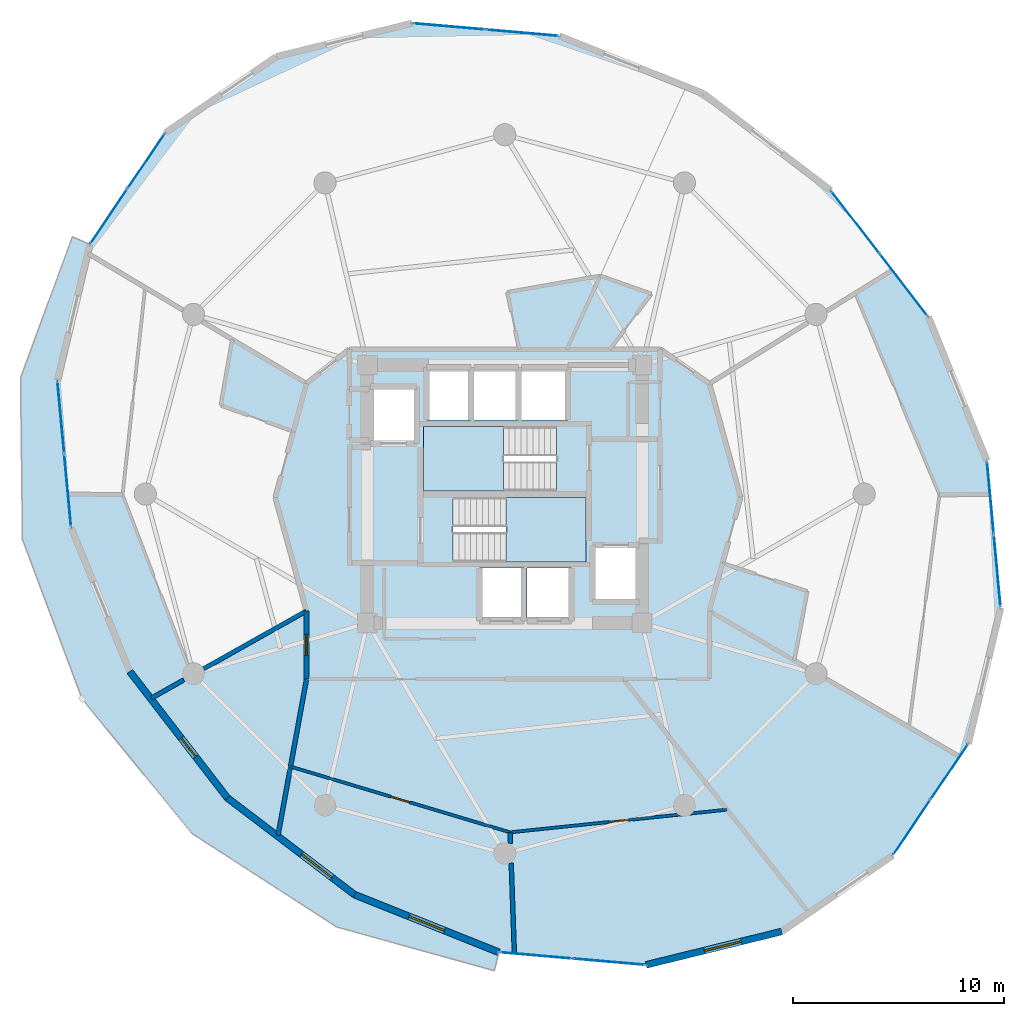
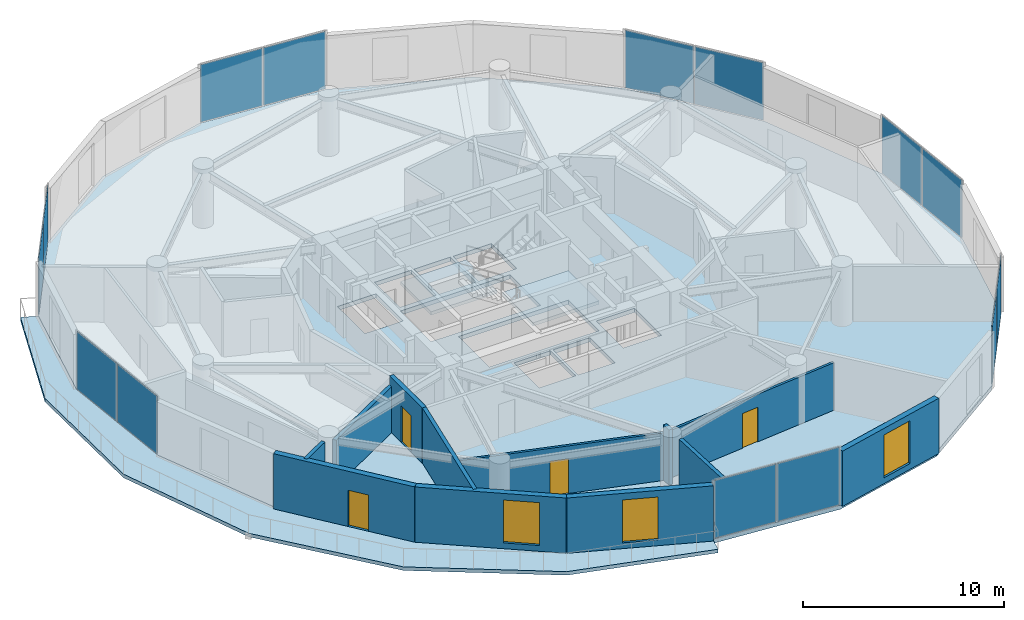
# One storey, part 17 of 22: 14 plates, 12 walls, 4 doors, 4 slabs, 3 windows, 7 openings, 9 elements without a shape of their own.
"""IFC4 building model written with IfcOpenShell, lengths in metres."""

from ifc_helpers import new_model, si_unit, direction, frame, frame_2d, origin, origin_2d, place, context, subcontext, project, spatial, polyline, rectangle, outline, extrude, source, transform, mapped, material, layer, layer_set, type_object, element, fill, aggregate, save


model = new_model("IFC4")

# Units and contexts
model_context = context("Model", 3, precision=1e-05, world=origin(), true_north=direction((0.0, 1.0)))
body_context = subcontext(model_context, "Body", "Model", "MODEL_VIEW")
ifc_project = project(units=[si_unit("LENGTHUNIT", "METRE"), si_unit("AREAUNIT", "SQUARE_METRE"), si_unit("VOLUMEUNIT", "CUBIC_METRE"), si_unit("PLANEANGLEUNIT", "RADIAN"), si_unit("MASSUNIT", "GRAM", prefix="KILO")], contexts=[model_context])

# Site, building, storey
site_placement = place(None, origin())
site = spatial("IfcSite", under=ifc_project, at=site_placement, CompositionType="ELEMENT")
building_placement = place(site_placement, origin())
building = spatial("IfcBuilding", under=site, at=building_placement, Name="Solvirekh Grand Hotel", CompositionType="ELEMENT")
storey_placement = place(building_placement, frame((0.0, 0.0, 145.800048828125)))
storey = spatial("IfcBuildingStorey", under=building, at=storey_placement, Name="L37", CompositionType="ELEMENT", Elevation=145.800048828125)

# Slab
ifc_material_1 = material(Name="Concrete C50/60", Category="concrete")
ifc_layer_1 = layer(ifc_material_1, 0.215087890625)
ifc_layer_set_1 = layer_set([ifc_layer_1], Name="Concrete C50/60")
slab_type_1 = type_object("IfcSlabType", Name="ExtCrescentBalc_215", PredefinedType="FLOOR", material=ifc_layer_set_1)
slab_1_placement = place(storey_placement, frame((0.0, 0.0, -0.215087890625)))
element("IfcSlab", 1, at=slab_1_placement, inside=storey, type_object=slab_type_1, Name="L37 sweeping crescent balcony slab", PredefinedType="FLOOR", context=body_context, shape_type="SweptSolid", body=[
    extrude(outline(polyline([(-20.448974609375, 12.169921875), (-22.904052734375, 5.492919921875), (-22.81005859375, -2.153076171875), (-19.989013671875, -9.68603515625), (-14.7900390625, -16.052001953125), (-7.968017578125, -20.467041015625), (-0.490966796875, -22.54296875), (-0.280029296875, -21.66796875), (-7.10302734375, -18.946044921875), (-13.118896484375, -14.368896484375), (-17.738037109375, -8.385009765625), (-20.508056640625, -1.5810546875), (-21.157958984375, 5.3779296875), (-19.6240234375, 11.81103515625), (-20.448974609375, 12.169921875)])), origin(), (0.0, 0.0, 1.0), 0.215087890625),
])

# Stair, slab
ifc_material_2 = material(Name="Concrete C40/50", Category="concrete")
stair_type = type_object("IfcStairType", Name="Stair_Core_1450", PredefinedType="HALF_TURN_STAIR", material=ifc_material_2)
stair_1_placement = place(storey_placement, origin())
stair_1 = element("IfcStair", 2, at=stair_1_placement, inside=storey, type_object=stair_type, Name="L37 Enclosed exit stair ST-1", PredefinedType="HALF_TURN_STAIR")
ifc_layer_2 = layer(ifc_material_2, 0.199951171875)
ifc_layer_set_2 = layer_set([ifc_layer_2], Name="Concrete C40/50")
slab_type_2 = type_object("IfcSlabType", Name="Landing_Stair_200", PredefinedType="LANDING", material=ifc_layer_set_2)
slab_2_placement = place(storey_placement, frame((0.0, 0.0, 1.599853515625)))
slab_2 = element("IfcSlab", 3, at=slab_2_placement, type_object=slab_type_2, Name="ST-1 landing 1", PredefinedType="LANDING", context=body_context, shape_type="SweptSolid", body=[
    extrude(outline(polyline([(0.070068359375, -3.199951171875), (3.85009765625, -3.199951171875), (3.85009765625, -0.14990234375), (0.070068359375, -0.14990234375), (0.070068359375, -3.199951171875)])), origin(), (0.0, 0.0, 1.0), 0.2001953125),
])
aggregate(stair_1, [slab_2])

stair_2_placement = place(storey_placement, origin())
stair_2 = element("IfcStair", 4, at=stair_2_placement, inside=storey, type_object=stair_type, Name="L37 Enclosed exit stair ST-2", PredefinedType="HALF_TURN_STAIR")
slab_3_placement = place(storey_placement, frame((0.0, 0.0, 1.599853515625)))
slab_3 = element("IfcSlab", 5, at=slab_3_placement, type_object=slab_type_2, Name="ST-2 landing 1", PredefinedType="LANDING", context=body_context, shape_type="SweptSolid", body=[
    extrude(outline(polyline([(-0.070068359375, 3.199951171875), (-3.85009765625, 3.199951171875), (-3.85009765625, 0.14990234375), (-0.070068359375, 0.14990234375), (-0.070068359375, 3.199951171875)])), origin(), (0.0, 0.0, 1.0), 0.2001953125),
])
aggregate(stair_2, [slab_3])

# Slab
ifc_layer_3 = layer(ifc_material_1, 0.25)
ifc_layer_set_3 = layer_set([ifc_layer_3], Name="Concrete C50/60")
slab_type_3 = type_object("IfcSlabType", Name="Slab_GuestZ2_250", PredefinedType="FLOOR", material=ifc_layer_set_3)
slab_4_placement = place(storey_placement, frame((0.0, 0.0, -0.25)))
element("IfcSlab", 6, at=slab_4_placement, inside=storey, type_object=slab_type_3, Name="L37 structural floor slab", PredefinedType="FLOOR", context=body_context, shape_type="SweptSolid", body=[
    extrude(outline(polyline([(18.35693359375, -17.0869140625), (21.924072265625, -11.81103515625), (23.4580078125, -5.3779296875), (22.80810546875, 1.5810546875), (20.0380859375, 8.385009765625), (15.4189453125, 14.368896484375), (9.403076171875, 18.946044921875), (2.580078125, 21.66796875), (-4.384033203125, 22.27001953125), (-10.805908203125, 20.69091796875), (-16.056884765625, 17.0869140625), (-19.6240234375, 11.81103515625), (-21.157958984375, 5.3779296875), (-20.508056640625, -1.5810546875), (-17.738037109375, -8.385009765625), (-13.118896484375, -14.368896484375), (-7.10302734375, -18.946044921875), (-0.280029296875, -21.66796875), (6.68408203125, -22.27001953125), (13.10595703125, -20.69091796875), (18.35693359375, -17.0869140625)]), holes=[polyline([(-2.444091796875, -0.14990234375), (3.85009765625, -0.14990234375), (3.85009765625, -3.199951171875), (-2.444091796875, -3.199951171875), (-2.444091796875, -0.14990234375)]), polyline([(2.444091796875, 0.14990234375), (-3.85009765625, 0.14990234375), (-3.85009765625, 3.199951171875), (2.444091796875, 3.199951171875), (2.444091796875, 0.14990234375)]), polyline([(-1.199951171875, -3.5), (0.89990234375, -3.5), (0.89990234375, -6.0), (-1.199951171875, -6.0), (-1.199951171875, -3.5)]), polyline([(1.050048828125, -3.5), (3.14990234375, -3.5), (3.14990234375, -6.0), (1.050048828125, -6.0), (1.050048828125, -3.5)]), polyline([(-3.699951171875, 6.0), (-1.60009765625, 6.0), (-1.60009765625, 3.5), (-3.699951171875, 3.5), (-3.699951171875, 6.0)]), polyline([(-1.449951171875, 6.0), (0.64990234375, 6.0), (0.64990234375, 3.5), (-1.449951171875, 3.5), (-1.449951171875, 6.0)]), polyline([(0.800048828125, 6.0), (3.0, 6.0), (3.0, 3.5), (0.800048828125, 3.5), (0.800048828125, 6.0)]), polyline([(-6.35009765625, 5.10009765625), (-4.14990234375, 5.10009765625), (-4.14990234375, 2.39990234375), (-6.35009765625, 2.39990234375), (-6.35009765625, 5.10009765625)]), polyline([(4.14990234375, -2.39990234375), (6.35009765625, -2.39990234375), (6.35009765625, -5.10009765625), (4.14990234375, -5.10009765625), (4.14990234375, -2.39990234375)])]), origin(), (0.0, 0.0, 1.0), 0.25),
])

# Curtain wall, plates
ifc_material_3 = material(Name="Anodized Bronze Aluminium 6063-T6", Category="aluminium")
ifc_layer_4 = layer(ifc_material_3, 0.175048828125)
ifc_layer_set_4 = layer_set([ifc_layer_4], Name="Anodized Bronze Aluminium 6063-T6")
curtain_wall_type = type_object("IfcCurtainWallType", Name="CW_Sys3_MidZoneFlushBronzeCW", PredefinedType="NOTDEFINED", material=ifc_layer_set_4)
curtain_wall_1_placement = place(storey_placement, origin())
curtain_wall_1 = element("IfcCurtainWall", 7, at=curtain_wall_1_placement, inside=storey, type_object=curtain_wall_type, Name="L37 unitised bronze-glass curtain wall CW-L37-C03", PredefinedType="NOTDEFINED")
ifc_material_4 = material(Name="Low-E Tinted Bronze Laminated Glass", Category="aluminium")
ifc_layer_5 = layer(ifc_material_4, 0.035888671875)
ifc_layer_set_5 = layer_set([ifc_layer_5], Name="Low-E Tinted Bronze Laminated Glass")
plate_type = type_object("IfcPlateType", Name="CWPanel_Mid_36", PredefinedType="CURTAIN_PANEL", material=ifc_layer_set_5)
shared_shape_1 = source(origin(), body_context, "Body", "SweptSolid", [
    extrude(rectangle(XDim=3.397216796875, YDim=0.035888671875, at=origin_2d()), origin(), (0.0, 0.0, 1.0), 3.489990234375),
])
plate_1_placement = place(storey_placement, frame((23.2939453125, -3.6220703125, 0.05517578125), z_axis=(0.0, 0.0, 1.0), x_axis=(-0.092999425997, 0.995666162308, 0.0)))
plate_1 = element("IfcPlate", 8, at=plate_1_placement, type_object=plate_type, Name="U03 panel 1.1", PredefinedType="CURTAIN_PANEL", context=body_context, shape_type="MappedRepresentation", body=[
    mapped(shared_shape_1, transform((0.0, 0.0, 0.0), x_axis=(1.0, 0.0, 0.0), y_axis=(0.0, 1.0, 0.0), z_axis=(0.0, 0.0, 1.0), scale=1.0)),
])
plate_2_placement = place(storey_placement, frame((22.971923828125, -0.175048828125, 0.05517578125), z_axis=(0.0, 0.0, 1.0), x_axis=(-0.092999425997, 0.995666162308, 0.0)))
plate_2 = element("IfcPlate", 9, at=plate_2_placement, type_object=plate_type, Name="U03 panel 2.1", PredefinedType="CURTAIN_PANEL", context=body_context, shape_type="MappedRepresentation", body=[
    mapped(shared_shape_1, transform((0.0, 0.0, 0.0), x_axis=(1.0, 0.0, 0.0), y_axis=(0.0, 1.0, 0.0), z_axis=(0.0, 0.0, 1.0), scale=1.0)),
])
aggregate(curtain_wall_1, [plate_1, plate_2])

curtain_wall_2_placement = place(storey_placement, origin())
curtain_wall_2 = element("IfcCurtainWall", 10, at=curtain_wall_2_placement, inside=storey, type_object=curtain_wall_type, Name="L37 unitised bronze-glass curtain wall CW-L37-C13", PredefinedType="NOTDEFINED")
plate_3_placement = place(storey_placement, frame((-20.993896484375, 3.6220703125, 0.05517578125), z_axis=(0.0, 0.0, 1.0), x_axis=(0.092999425997, -0.995666162308, 0.0)))
plate_3 = element("IfcPlate", 11, at=plate_3_placement, type_object=plate_type, Name="U03 panel 1.1", PredefinedType="CURTAIN_PANEL", context=body_context, shape_type="MappedRepresentation", body=[
    mapped(shared_shape_1, transform((0.0, 0.0, 0.0), x_axis=(1.0, 0.0, 0.0), y_axis=(0.0, 1.0, 0.0), z_axis=(0.0, 0.0, 1.0), scale=1.0)),
])
plate_4_placement = place(storey_placement, frame((-20.672119140625, 0.175048828125, 0.05517578125), z_axis=(0.0, 0.0, 1.0), x_axis=(0.092999425997, -0.995666162308, 0.0)))
plate_4 = element("IfcPlate", 12, at=plate_4_placement, type_object=plate_type, Name="U03 panel 2.1", PredefinedType="CURTAIN_PANEL", context=body_context, shape_type="MappedRepresentation", body=[
    mapped(shared_shape_1, transform((0.0, 0.0, 0.0), x_axis=(1.0, 0.0, 0.0), y_axis=(0.0, 1.0, 0.0), z_axis=(0.0, 0.0, 1.0), scale=1.0)),
])
aggregate(curtain_wall_2, [plate_3, plate_4])

curtain_wall_3_placement = place(storey_placement, origin())
curtain_wall_3 = element("IfcCurtainWall", 13, at=curtain_wall_3_placement, inside=storey, type_object=curtain_wall_type, Name="L37 unitised bronze-glass curtain wall CW-L37-C05", PredefinedType="NOTDEFINED")
shared_shape_2 = source(origin(), body_context, "Body", "SweptSolid", [
    extrude(rectangle(XDim=3.68212890625, YDim=0.035888671875, at=origin_2d()), origin(), (0.0, 0.0, 1.0), 3.489990234375),
])
plate_5_placement = place(storey_placement, frame((18.873291015625, 9.893798828125, 0.05517578125), z_axis=(0.0, 0.0, 1.0), x_axis=(-0.611033271999, 0.791604914405, 0.0)))
plate_5 = element("IfcPlate", 14, at=plate_5_placement, type_object=plate_type, Name="U03 panel 1.1", PredefinedType="CURTAIN_PANEL", context=body_context, shape_type="MappedRepresentation", body=[
    mapped(shared_shape_2, transform((0.0, 0.0, 0.0), x_axis=(1.0, 0.0, 0.0), y_axis=(0.0, 1.0, 0.0), z_axis=(0.0, 0.0, 1.0), scale=1.0)),
])
plate_6_placement = place(storey_placement, frame((16.583740234375, 12.860107421875, 0.05517578125), z_axis=(0.0, 0.0, 1.0), x_axis=(-0.611033271999, 0.791604914405, 0.0)))
plate_6 = element("IfcPlate", 15, at=plate_6_placement, type_object=plate_type, Name="U03 panel 2.1", PredefinedType="CURTAIN_PANEL", context=body_context, shape_type="MappedRepresentation", body=[
    mapped(shared_shape_2, transform((0.0, 0.0, 0.0), x_axis=(1.0, 0.0, 0.0), y_axis=(0.0, 1.0, 0.0), z_axis=(0.0, 0.0, 1.0), scale=1.0)),
])
aggregate(curtain_wall_3, [plate_5, plate_6])

curtain_wall_4_placement = place(storey_placement, origin())
curtain_wall_4 = element("IfcCurtainWall", 16, at=curtain_wall_4_placement, inside=storey, type_object=curtain_wall_type, Name="L37 unitised bronze-glass curtain wall CW-L37-C08", PredefinedType="NOTDEFINED")
shared_shape_3 = source(origin(), body_context, "Body", "SweptSolid", [
    extrude(rectangle(XDim=3.3974609375, YDim=0.035888671875, at=origin_2d()), origin(), (0.0, 0.0, 1.0), 3.489990234375),
])
plate_7_placement = place(storey_placement, frame((0.82275390625, 21.81982421875, 0.05517578125), z_axis=(0.0, 0.0, 1.0), x_axis=(-0.996284478691, 0.086123385444, 0.0)))
plate_7 = element("IfcPlate", 17, at=plate_7_placement, type_object=plate_type, Name="U03 panel 1.1", PredefinedType="CURTAIN_PANEL", context=body_context, shape_type="MappedRepresentation", body=[
    mapped(shared_shape_3, transform((0.0, 0.0, 0.0), x_axis=(1.0, 0.0, 0.0), y_axis=(0.0, 1.0, 0.0), z_axis=(0.0, 0.0, 1.0), scale=1.0)),
])
plate_8_placement = place(storey_placement, frame((-2.626708984375, 22.1181640625, 0.05517578125), z_axis=(0.0, 0.0, 1.0), x_axis=(-0.996284478691, 0.086123385444, 0.0)))
plate_8 = element("IfcPlate", 18, at=plate_8_placement, type_object=plate_type, Name="U03 panel 2.1", PredefinedType="CURTAIN_PANEL", context=body_context, shape_type="MappedRepresentation", body=[
    mapped(shared_shape_3, transform((0.0, 0.0, 0.0), x_axis=(1.0, 0.0, 0.0), y_axis=(0.0, 1.0, 0.0), z_axis=(0.0, 0.0, 1.0), scale=1.0)),
])
aggregate(curtain_wall_4, [plate_7, plate_8])

curtain_wall_5_placement = place(storey_placement, origin())
curtain_wall_5 = element("IfcCurtainWall", 19, at=curtain_wall_5_placement, inside=storey, type_object=curtain_wall_type, Name="L37 unitised bronze-glass curtain wall CW-L37-C18", PredefinedType="NOTDEFINED")
plate_9_placement = place(storey_placement, frame((1.477294921875, -21.81982421875, 0.05517578125), z_axis=(0.0, 0.0, 1.0), x_axis=(0.996284478691, -0.086123385444, 0.0)))
plate_9 = element("IfcPlate", 20, at=plate_9_placement, type_object=plate_type, Name="U03 panel 1.1", PredefinedType="CURTAIN_PANEL", context=body_context, shape_type="MappedRepresentation", body=[
    mapped(shared_shape_3, transform((0.0, 0.0, 0.0), x_axis=(1.0, 0.0, 0.0), y_axis=(0.0, 1.0, 0.0), z_axis=(0.0, 0.0, 1.0), scale=1.0)),
])
plate_10_placement = place(storey_placement, frame((4.9267578125, -22.1181640625, 0.05517578125), z_axis=(0.0, 0.0, 1.0), x_axis=(0.996284478691, -0.086123385444, 0.0)))
plate_10 = element("IfcPlate", 21, at=plate_10_placement, type_object=plate_type, Name="U03 panel 2.1", PredefinedType="CURTAIN_PANEL", context=body_context, shape_type="MappedRepresentation", body=[
    mapped(shared_shape_3, transform((0.0, 0.0, 0.0), x_axis=(1.0, 0.0, 0.0), y_axis=(0.0, 1.0, 0.0), z_axis=(0.0, 0.0, 1.0), scale=1.0)),
])
aggregate(curtain_wall_5, [plate_9, plate_10])

curtain_wall_6_placement = place(storey_placement, origin())
curtain_wall_6 = element("IfcCurtainWall", 22, at=curtain_wall_6_placement, inside=storey, type_object=curtain_wall_type, Name="L37 unitised bronze-glass curtain wall CW-L37-C01", PredefinedType="NOTDEFINED")
shared_shape_4 = source(origin(), body_context, "Body", "SweptSolid", [
    extrude(rectangle(XDim=3.0869140625, YDim=0.035888671875, at=origin_2d()), origin(), (0.0, 0.0, 1.0), 3.489990234375),
])
plate_11_placement = place(storey_placement, frame((19.2578125, -15.754638671875, 0.05517578125), z_axis=(0.0, 0.0, 1.0), x_axis=(0.560087563791, 0.828433413671, 0.0)))
plate_11 = element("IfcPlate", 23, at=plate_11_placement, type_object=plate_type, Name="U03 panel 1.1", PredefinedType="CURTAIN_PANEL", context=body_context, shape_type="MappedRepresentation", body=[
    mapped(shared_shape_4, transform((0.0, 0.0, 0.0), x_axis=(1.0, 0.0, 0.0), y_axis=(0.0, 1.0, 0.0), z_axis=(0.0, 0.0, 1.0), scale=1.0)),
])
plate_12_placement = place(storey_placement, frame((21.023193359375, -13.1435546875, 0.05517578125), z_axis=(0.0, 0.0, 1.0), x_axis=(0.560087563791, 0.828433413671, 0.0)))
plate_12 = element("IfcPlate", 24, at=plate_12_placement, type_object=plate_type, Name="U03 panel 2.1", PredefinedType="CURTAIN_PANEL", context=body_context, shape_type="MappedRepresentation", body=[
    mapped(shared_shape_4, transform((0.0, 0.0, 0.0), x_axis=(1.0, 0.0, 0.0), y_axis=(0.0, 1.0, 0.0), z_axis=(0.0, 0.0, 1.0), scale=1.0)),
])
aggregate(curtain_wall_6, [plate_11, plate_12])

curtain_wall_7_placement = place(storey_placement, origin())
curtain_wall_7 = element("IfcCurtainWall", 25, at=curtain_wall_7_placement, inside=storey, type_object=curtain_wall_type, Name="L37 unitised bronze-glass curtain wall CW-L37-C11", PredefinedType="NOTDEFINED")
plate_13_placement = place(storey_placement, frame((-16.957763671875, 15.754638671875, 0.05517578125), z_axis=(0.0, 0.0, 1.0), x_axis=(-0.560087563791, -0.828433413671, 0.0)))
plate_13 = element("IfcPlate", 26, at=plate_13_placement, type_object=plate_type, Name="U03 panel 1.1", PredefinedType="CURTAIN_PANEL", context=body_context, shape_type="MappedRepresentation", body=[
    mapped(shared_shape_4, transform((0.0, 0.0, 0.0), x_axis=(1.0, 0.0, 0.0), y_axis=(0.0, 1.0, 0.0), z_axis=(0.0, 0.0, 1.0), scale=1.0)),
])
plate_14_placement = place(storey_placement, frame((-18.72314453125, 13.1435546875, 0.05517578125), z_axis=(0.0, 0.0, 1.0), x_axis=(-0.560087563791, -0.828433413671, 0.0)))
plate_14 = element("IfcPlate", 27, at=plate_14_placement, type_object=plate_type, Name="U03 panel 2.1", PredefinedType="CURTAIN_PANEL", context=body_context, shape_type="MappedRepresentation", body=[
    mapped(shared_shape_4, transform((0.0, 0.0, 0.0), x_axis=(1.0, 0.0, 0.0), y_axis=(0.0, 1.0, 0.0), z_axis=(0.0, 0.0, 1.0), scale=1.0)),
])
aggregate(curtain_wall_7, [plate_13, plate_14])

# Wall, opening, door
ifc_material_5 = material(Name="Precast concrete C45/55", Category="concrete")
ifc_layer_6 = layer(ifc_material_5, 0.320068359375)
ifc_layer_set_6 = layer_set([ifc_layer_6], Name="Precast concrete C45/55")
wall_type_1 = type_object("IfcWallType", Name="ExtLobbyWall_RC320", PredefinedType="SOLIDWALL", material=ifc_layer_set_6)
wall_1_placement = place(storey_placement, frame((-13.118896484375, -14.368896484375, 0.0), z_axis=(0.0, 0.0, 1.0), x_axis=(-0.611052177593, 0.791590320973, 0.0)))
wall_1 = element("IfcWall", 28, at=wall_1_placement, inside=storey, type_object=wall_type_1, Name="L37 exterior structural wall chord 15", PredefinedType="SOLIDWALL", context=body_context, shape_type="SweptSolid", body=[
    extrude(rectangle(XDim=7.559326171875, YDim=0.320068359375, at=frame_2d((3.77978515625, 0.0))), origin(), (0.0, 0.0, 1.0), 3.349853515625),
])
opening_1_placement = place(wall_1_placement, frame((2.466064453125, 0.0, 0.0)))
opening_1 = element("IfcOpeningElement", 29, at=opening_1_placement, cuts=wall_1, Name="Opening D03", PredefinedType="OPENING", context=body_context, shape_type="SweptSolid", body=[
    extrude(rectangle(XDim=1.10009765625, YDim=2.199951171875, at=frame_2d((0.550048828125, 1.10009765625))), frame((0.0, 0.169921875, 0.0), z_axis=(0.0, -1.0, 0.0), x_axis=(1.0, 0.0, 0.0)), (0.0, 0.0, 1.0), 0.340087890625),
])
door_type_1 = type_object("IfcDoorType", Name="Door_ExtBalcony_1100X2200", OperationType="NOTDEFINED", PredefinedType="DOOR", material=ifc_material_3)
door_1_placement = place(opening_1_placement, origin())
door_1 = element("IfcDoor", 30, at=door_1_placement, inside=storey, type_object=door_type_1, Name="L37 Crescent balcony glazed door (15)", OperationType="SINGLE_SWING_RIGHT", OverallHeight=2.199951171875, OverallWidth=1.10009765625, PredefinedType="DOOR", context=body_context, shape_type="SweptSolid", body=[
    extrude(rectangle(XDim=1.10009765625, YDim=2.199951171875, at=frame_2d((0.550048828125, 1.10009765625))), frame((0.0, 0.02490234375, 0.0), z_axis=(0.0, -1.0, 0.0), x_axis=(1.0, 0.0, 0.0)), (0.0, 0.0, 1.0), 0.050048828125),
])
fill(opening_1, door_1)

# Wall, opening, window
wall_2_placement = place(storey_placement, frame((-7.10302734375, -18.946044921875, 0.0), z_axis=(0.0, 0.0, 1.0), x_axis=(-0.795837829304, 0.605509826054, 0.0)))
wall_2 = element("IfcWall", 31, at=wall_2_placement, inside=storey, type_object=wall_type_1, Name="L37 exterior structural wall chord 16", PredefinedType="SOLIDWALL", context=body_context, shape_type="SweptSolid", body=[
    extrude(rectangle(XDim=7.55908203125, YDim=0.320068359375, at=frame_2d((3.779541015625, 0.0))), origin(), (0.0, 0.0, 1.0), 3.349853515625),
])
opening_2_placement = place(wall_2_placement, frame((1.340087890625, 0.0, 0.35009765625)))
opening_2 = element("IfcOpeningElement", 32, at=opening_2_placement, cuts=wall_2, Name="Opening W02", PredefinedType="OPENING", context=body_context, shape_type="SweptSolid", body=[
    extrude(rectangle(XDim=1.800048828125, YDim=2.60009765625, at=frame_2d((0.89990234375, 1.300048828125))), frame((0.0, 0.169921875, 0.0), z_axis=(0.0, -1.0, 0.0), x_axis=(1.0, 0.0, 0.0)), (0.0, 0.0, 1.0), 0.340087890625),
])
window_type = type_object("IfcWindowType", Name="Win_LobbyExt_1800X2600", PartitioningType="SINGLE_PANEL", PredefinedType="WINDOW", material=ifc_material_4)
window_1_placement = place(opening_2_placement, origin())
window_1 = element("IfcWindow", 33, at=window_1_placement, inside=storey, type_object=window_type, Name="L37 panoramic bronze-framed window 16", OverallHeight=2.60009765625, OverallWidth=1.800048828125, PartitioningType="SINGLE_PANEL", PredefinedType="WINDOW", context=body_context, shape_type="SweptSolid", body=[
    extrude(rectangle(XDim=1.800048828125, YDim=2.60009765625, at=frame_2d((0.89990234375, 1.300048828125))), frame((0.0, 0.030029296875, 0.0), z_axis=(0.0, -1.0, 0.0), x_axis=(1.0, 0.0, 0.0)), (0.0, 0.0, 1.0), 0.06005859375),
])
fill(opening_2, window_1)

wall_3_placement = place(storey_placement, frame((-0.280029296875, -21.66796875, 0.0), z_axis=(0.0, 0.0, 1.0), x_axis=(-0.928817816333, 0.37053672431, 0.0)))
wall_3 = element("IfcWall", 34, at=wall_3_placement, inside=storey, type_object=wall_type_1, Name="L37 exterior structural wall chord 17", PredefinedType="SOLIDWALL", context=body_context, shape_type="SweptSolid", body=[
    extrude(rectangle(XDim=7.345947265625, YDim=0.320068359375, at=frame_2d((3.6728515625, 0.0))), origin(), (0.0, 0.0, 1.0), 3.349853515625),
])
opening_3_placement = place(wall_3_placement, frame((2.77294921875, 0.0, 0.35009765625)))
opening_3 = element("IfcOpeningElement", 35, at=opening_3_placement, cuts=wall_3, Name="Opening W02", PredefinedType="OPENING", context=body_context, shape_type="SweptSolid", body=[
    extrude(rectangle(XDim=1.800048828125, YDim=2.60009765625, at=frame_2d((0.89990234375, 1.300048828125))), frame((0.0, 0.169921875, 0.0), z_axis=(0.0, -1.0, 0.0), x_axis=(1.0, 0.0, 0.0)), (0.0, 0.0, 1.0), 0.340087890625),
])
window_2_placement = place(opening_3_placement, origin())
window_2 = element("IfcWindow", 36, at=window_2_placement, inside=storey, type_object=window_type, Name="L37 panoramic bronze-framed window 17", OverallHeight=2.60009765625, OverallWidth=1.800048828125, PartitioningType="SINGLE_PANEL", PredefinedType="WINDOW", context=body_context, shape_type="SweptSolid", body=[
    extrude(rectangle(XDim=1.800048828125, YDim=2.60009765625, at=frame_2d((0.89990234375, 1.300048828125))), frame((0.0, 0.030029296875, 0.0), z_axis=(0.0, -1.0, 0.0), x_axis=(1.0, 0.0, 0.0)), (0.0, 0.0, 1.0), 0.06005859375),
])
fill(opening_3, window_2)

wall_4_placement = place(storey_placement, frame((13.10595703125, -20.69091796875, 0.0), z_axis=(0.0, 0.0, 1.0), x_axis=(-0.971073377094, -0.238781272926, 0.0)))
wall_4 = element("IfcWall", 37, at=wall_4_placement, inside=storey, type_object=wall_type_1, Name="L37 exterior structural wall chord 19", PredefinedType="SOLIDWALL", context=body_context, shape_type="SweptSolid", body=[
    extrude(rectangle(XDim=6.61328125, YDim=0.320068359375, at=frame_2d((3.306640625, 0.0))), origin(), (0.0, 0.0, 1.0), 3.349853515625),
])
opening_4_placement = place(wall_4_placement, frame((1.972900390625, 0.0, 0.35009765625)))
opening_4 = element("IfcOpeningElement", 38, at=opening_4_placement, cuts=wall_4, Name="Opening W02", PredefinedType="OPENING", context=body_context, shape_type="SweptSolid", body=[
    extrude(rectangle(XDim=1.800048828125, YDim=2.60009765625, at=frame_2d((0.89990234375, 1.300048828125))), frame((0.0, 0.169921875, 0.0), z_axis=(0.0, -1.0, 0.0), x_axis=(1.0, 0.0, 0.0)), (0.0, 0.0, 1.0), 0.340087890625),
])
window_3_placement = place(opening_4_placement, origin())
window_3 = element("IfcWindow", 39, at=window_3_placement, inside=storey, type_object=window_type, Name="L37 panoramic bronze-framed window 19", OverallHeight=2.60009765625, OverallWidth=1.800048828125, PartitioningType="SINGLE_PANEL", PredefinedType="WINDOW", context=body_context, shape_type="SweptSolid", body=[
    extrude(rectangle(XDim=1.800048828125, YDim=2.60009765625, at=frame_2d((0.89990234375, 1.300048828125))), frame((0.0, 0.030029296875, 0.0), z_axis=(0.0, -1.0, 0.0), x_axis=(1.0, 0.0, 0.0)), (0.0, 0.0, 1.0), 0.06005859375),
])
fill(opening_4, window_3)

# Wall, opening, door
ifc_material_6 = material(Name="Acoustic Gypsum Partition Assembly")
ifc_layer_7 = layer(ifc_material_6, 0.239990234375)
ifc_layer_set_7 = layer_set([ifc_layer_7], Name="Acoustic Gypsum Partition Assembly")
wall_type_2 = type_object("IfcWallType", Name="Part_Corridor_240", PredefinedType="PARTITIONING", material=ifc_layer_set_7)
wall_5_placement = place(storey_placement, frame((-9.3759765625, -5.52490234375, 0.0), z_axis=(0.0, 0.0, 1.0), x_axis=(0.0, -1.0, 0.0)))
wall_5 = element("IfcWall", 40, at=wall_5_placement, inside=storey, type_object=wall_type_2, Name="L37 L37 South-West Study Lounge entrance wall", PredefinedType="PARTITIONING", context=body_context, shape_type="SweptSolid", body=[
    extrude(rectangle(XDim=3.22509765625, YDim=0.239990234375, at=frame_2d((1.612548828125, 0.0))), origin(), (0.0, 0.0, 1.0), 3.349853515625),
])
opening_5_placement = place(wall_5_placement, frame((1.112060546875, 0.0, 0.0)))
opening_5 = element("IfcOpeningElement", 41, at=opening_5_placement, cuts=wall_5, Name="Opening D07", PredefinedType="OPENING", context=body_context, shape_type="SweptSolid", body=[
    extrude(rectangle(XDim=1.0, YDim=2.199951171875, at=frame_2d((0.5, 1.10009765625))), frame((0.0, 0.1298828125, 0.0), z_axis=(0.0, -1.0, 0.0), x_axis=(1.0, 0.0, 0.0)), (0.0, 0.0, 1.0), 0.260009765625),
])
ifc_material_7 = material(Name="Fire-Rated Steel Door Assembly", Category="steel")
door_type_2 = type_object("IfcDoorType", Name="Door_GuestEntry_1000X2200", OperationType="NOTDEFINED", PredefinedType="DOOR", material=ifc_material_7)
door_2_placement = place(opening_5_placement, origin())
door_2 = element("IfcDoor", 42, at=door_2_placement, inside=storey, type_object=door_type_2, Name="L37 L37 South-West Study Lounge entrance door", OperationType="SINGLE_SWING_RIGHT", OverallHeight=2.199951171875, OverallWidth=1.0, PredefinedType="DOOR", context=body_context, shape_type="SweptSolid", body=[
    extrude(rectangle(XDim=1.0, YDim=2.199951171875, at=frame_2d((0.5, 1.10009765625))), frame((0.0, 0.02490234375, 0.0), z_axis=(0.0, -1.0, 0.0), x_axis=(1.0, 0.0, 0.0)), (0.0, 0.0, 1.0), 0.050048828125),
])
fill(opening_5, door_2)

ifc_layer_8 = layer(ifc_material_6, 0.135009765625)
ifc_layer_set_8 = layer_set([ifc_layer_8], Name="Acoustic Gypsum Partition Assembly")
wall_type_3 = type_object("IfcWallType", Name="Part_RoomInt_135", PredefinedType="PARTITIONING", material=ifc_layer_set_8)
wall_6_placement = place(storey_placement, frame((-10.131103515625, -12.888916015625, 0.0), z_axis=(0.0, 0.0, 1.0), x_axis=(0.957987914755, -0.286808568879, 0.0)))
wall_6 = element("IfcWall", 43, at=wall_6_placement, inside=storey, type_object=wall_type_3, Name="L37 L37 South Horizon Conservatory bedroom screen wall", PredefinedType="PARTITIONING", context=body_context, shape_type="SweptSolid", body=[
    extrude(rectangle(XDim=10.84033203125, YDim=0.135009765625, at=frame_2d((5.420166015625, 0.0))), origin(), (0.0, 0.0, 1.0), 2.87890625),
])
opening_6_placement = place(wall_6_placement, frame((4.945068359375, 0.0, 0.0)))
opening_6 = element("IfcOpeningElement", 44, at=opening_6_placement, cuts=wall_6, Name="Opening D10", PredefinedType="OPENING", context=body_context, shape_type="SweptSolid", body=[
    extrude(rectangle(XDim=0.949951171875, YDim=2.10009765625, at=frame_2d((0.47509765625, 1.050048828125))), frame((0.0, 0.07763671875, 0.0), z_axis=(0.0, -1.0, 0.0), x_axis=(1.0, 0.0, 0.0)), (0.0, 0.0, 1.0), 0.155029296875),
])
door_type_3 = type_object("IfcDoorType", Name="Door_RoomInt_950X2100", OperationType="NOTDEFINED", PredefinedType="DOOR", material=ifc_material_3)
door_3_placement = place(opening_6_placement, origin())
door_3 = element("IfcDoor", 45, at=door_3_placement, inside=storey, type_object=door_type_3, Name="L37 L37 South Horizon Conservatory master bedroom door", OperationType="SINGLE_SWING_LEFT", OverallHeight=2.10009765625, OverallWidth=0.949951171875, PredefinedType="DOOR", context=body_context, shape_type="SweptSolid", body=[
    extrude(rectangle(XDim=0.949951171875, YDim=2.10009765625, at=frame_2d((0.47509765625, 1.050048828125))), frame((0.0, 0.02490234375, 0.0), z_axis=(0.0, -1.0, 0.0), x_axis=(1.0, 0.0, 0.0)), (0.0, 0.0, 1.0), 0.050048828125),
])
fill(opening_6, door_3)

wall_7_placement = place(storey_placement, frame((0.25390625, -15.998046875, 0.0), z_axis=(0.0, 0.0, 1.0), x_axis=(0.994576924976, 0.104003559097, 0.0)))
wall_7 = element("IfcWall", 46, at=wall_7_placement, inside=storey, type_object=wall_type_3, Name="L37 L37 Riverfront Tea Belvedere bedroom screen wall", PredefinedType="PARTITIONING", context=body_context, shape_type="SweptSolid", body=[
    extrude(rectangle(XDim=10.31689453125, YDim=0.135009765625, at=frame_2d((5.158447265625, 0.0))), origin(), (0.0, 0.0, 1.0), 2.87890625),
])
opening_7_placement = place(wall_7_placement, frame((4.68310546875, 0.0, 0.0)))
opening_7 = element("IfcOpeningElement", 47, at=opening_7_placement, cuts=wall_7, Name="Opening D10", PredefinedType="OPENING", context=body_context, shape_type="SweptSolid", body=[
    extrude(rectangle(XDim=0.949951171875, YDim=2.10009765625, at=frame_2d((0.47509765625, 1.050048828125))), frame((0.0, 0.07763671875, 0.0), z_axis=(0.0, -1.0, 0.0), x_axis=(1.0, 0.0, 0.0)), (0.0, 0.0, 1.0), 0.155029296875),
])
door_4_placement = place(opening_7_placement, origin())
door_4 = element("IfcDoor", 48, at=door_4_placement, inside=storey, type_object=door_type_3, Name="L37 L37 Riverfront Tea Belvedere master bedroom door", OperationType="SINGLE_SWING_RIGHT", OverallHeight=2.10009765625, OverallWidth=0.949951171875, PredefinedType="DOOR", context=body_context, shape_type="SweptSolid", body=[
    extrude(rectangle(XDim=0.949951171875, YDim=2.10009765625, at=frame_2d((0.47509765625, 1.050048828125))), frame((0.0, 0.02490234375, 0.0), z_axis=(0.0, -1.0, 0.0), x_axis=(1.0, 0.0, 0.0)), (0.0, 0.0, 1.0), 0.050048828125),
])
fill(opening_7, door_4)

# Walls
ifc_layer_9 = layer(ifc_material_6, 0.2099609375)
ifc_layer_set_9 = layer_set([ifc_layer_9], Name="Acoustic Gypsum Partition Assembly")
wall_type_4 = type_object("IfcWallType", Name="Part_SuiteDemise_210", PredefinedType="PARTITIONING", material=ifc_layer_set_9)
wall_8_placement = place(storey_placement, frame((-9.3759765625, -5.52490234375, 0.0), z_axis=(0.0, 0.0, 1.0), x_axis=(-0.8717334026, -0.489980484092, 0.0)))
element("IfcWall", 49, at=wall_8_placement, inside=storey, type_object=wall_type_4, Name="L37 suite radial wall 8 (A)", PredefinedType="PARTITIONING", context=body_context, shape_type="SweptSolid", body=[
    extrude(rectangle(XDim=5.57421875, YDim=0.2099609375, at=frame_2d((2.787109375, 0.0))), origin(), (0.0, 0.0, 1.0), 2.791015625),
])
wall_9_placement = place(storey_placement, frame((-15.18408203125, -8.7900390625, 0.0), z_axis=(0.0, 0.0, 1.0), x_axis=(-0.871701988745, -0.490036368873, 0.0)))
element("IfcWall", 50, at=wall_9_placement, inside=storey, type_object=wall_type_4, Name="L37 suite radial wall 8 (B)", PredefinedType="PARTITIONING", context=body_context, shape_type="SweptSolid", body=[
    extrude(rectangle(XDim=1.752685546875, YDim=0.2099609375, at=frame_2d((0.87646484375, 0.0))), origin(), (0.0, 0.0, 1.0), 3.349853515625),
])
wall_10_placement = place(storey_placement, frame((-9.3759765625, -8.75, 0.0), z_axis=(0.0, 0.0, 1.0), x_axis=(-0.179440173007, -0.983768887652, 0.0)))
element("IfcWall", 51, at=wall_10_placement, inside=storey, type_object=wall_type_4, Name="L37 L37 Royal Library Lounge dividing partition 2", PredefinedType="PARTITIONING", context=body_context, shape_type="SweptSolid", body=[
    extrude(rectangle(XDim=7.512939453125, YDim=0.2099609375, at=frame_2d((3.75634765625, 0.0))), origin(), (0.0, 0.0, 1.0), 3.349853515625),
])
wall_11_placement = place(storey_placement, frame((0.25390625, -15.998046875, 0.0), z_axis=(0.0, 0.0, 1.0), x_axis=(0.035904977548, -0.999355208416, 0.0)))
element("IfcWall", 52, at=wall_11_placement, inside=storey, type_object=wall_type_4, Name="L37 L37 South Horizon Conservatory dividing partition 1 (A)", PredefinedType="PARTITIONING", context=body_context, shape_type="SweptSolid", body=[
    extrude(rectangle(XDim=0.5302734375, YDim=0.2099609375, at=frame_2d((0.26513671875, 0.0))), origin(), (0.0, 0.0, 1.0), 3.349853515625),
])
wall_12_placement = place(storey_placement, frame((0.304931640625, -17.451904296875, 0.0), z_axis=(0.0, 0.0, 1.0), x_axis=(0.035159913523, -0.999381699093, 0.0)))
element("IfcWall", 53, at=wall_12_placement, inside=storey, type_object=wall_type_4, Name="L37 L37 South Horizon Conservatory dividing partition 1 (B)", PredefinedType="PARTITIONING", context=body_context, shape_type="SweptSolid", body=[
    extrude(rectangle(XDim=4.24267578125, YDim=0.2099609375, at=frame_2d((2.121337890625, 0.0))), origin(), (0.0, 0.0, 1.0), 3.349853515625),
])

save(model, "model.ifc")
